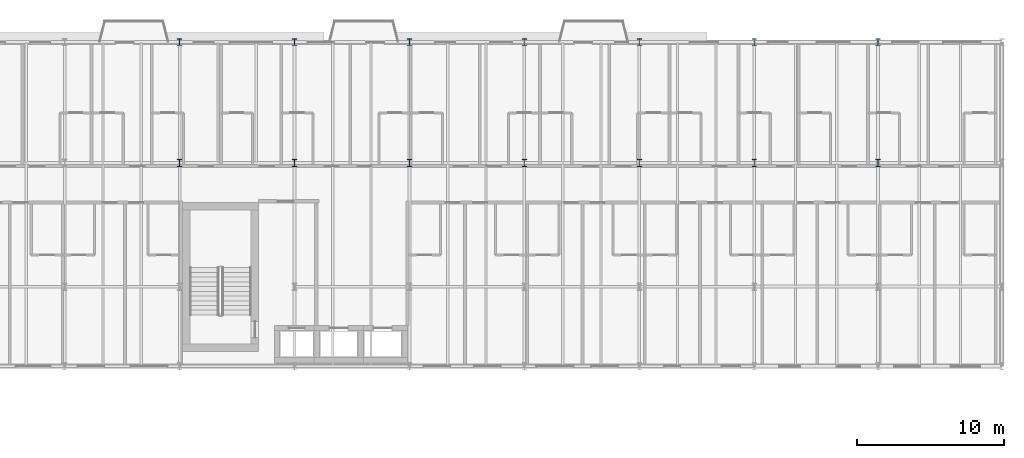
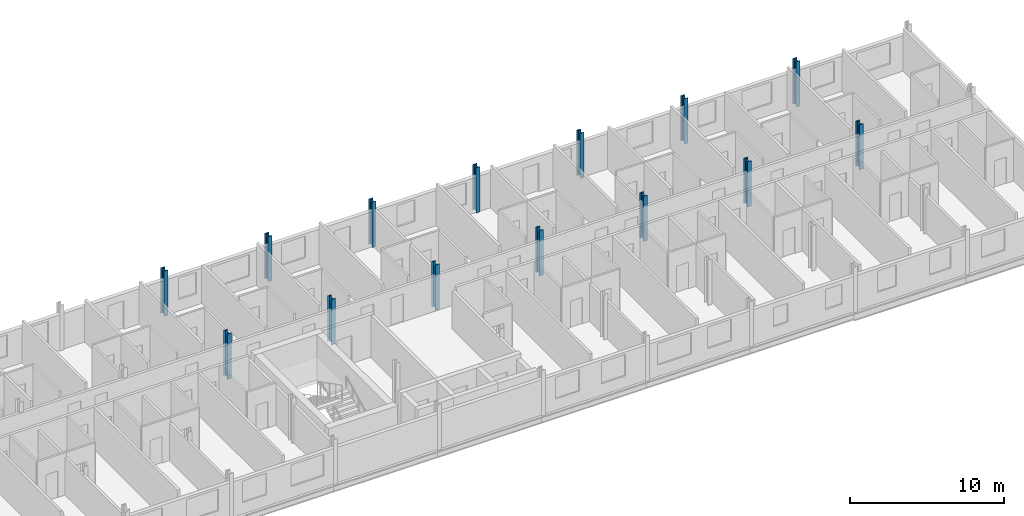
# One storey, part 6 of 36: 14 columns.
"""IFC4 building model written with IfcOpenShell, lengths in metres."""

from ifc_helpers import new_model, si_unit, direction, frame, origin, origin_2d, place, context, subcontext, project, spatial, i_section, extrude, material, material_profile, profile_set, type_object, element, save


model = new_model("IFC4")

# Units and contexts
model_context = context("Model", 3, precision=1e-05, world=origin(), true_north=direction((0.0, 1.0)))
body_context = subcontext(model_context, "Body", "Model", "MODEL_VIEW")
ifc_project = project(units=[si_unit("LENGTHUNIT", "METRE"), si_unit("AREAUNIT", "SQUARE_METRE"), si_unit("VOLUMEUNIT", "CUBIC_METRE"), si_unit("PLANEANGLEUNIT", "RADIAN"), si_unit("MASSUNIT", "GRAM", prefix="KILO")], contexts=[model_context])

# Site, building, storey
site_placement = place(None, origin())
site = spatial("IfcSite", under=ifc_project, at=site_placement, CompositionType="ELEMENT")
building_placement = place(site_placement, origin())
building = spatial("IfcBuilding", under=site, at=building_placement, Name="Sefraquen Railside Congress Hotel", CompositionType="ELEMENT")
storey_placement = place(building_placement, frame((0.0, 0.0, 28.199951171875)))
storey = spatial("IfcBuildingStorey", under=building, at=storey_placement, Name="L06", CompositionType="ELEMENT", Elevation=28.199951171875)

# Columns
ifc_material = material(Name="Steel S355JR", Category="steel")
ifc_material_profile_1 = material_profile(ifc_material, i_section(OverallWidth=0.300048828125, OverallDepth=0.449951171875, WebThickness=0.013916015625, FlangeThickness=0.02587890625, FilletRadius=0.027099609375, at=origin_2d()), Name="HEB 450")
ifc_profile_set_1 = profile_set([ifc_material_profile_1], Name="Steel S355JR")
column_type_1 = type_object("IfcColumnType", Name="TC-HEB-450", PredefinedType="COLUMN", material=ifc_profile_set_1)
for number, where, z_axis, x_axis, name in (
    (1, (64.199951171875, 118.0, 0.0), (0.0, 0.0, 1.0), (1.0, 0.0, 0.0), "Structural column 9-Q L06"),
    (2, (72.0, 118.0, 0.0), (0.0, 0.0, 1.0), (1.0, 0.0, 0.0), "Structural column 10-Q L06"),
    (3, (79.800048828125, 118.0, 0.0), (0.0, 0.0, 1.0), (1.0, 0.0, 0.0), "Structural column 11-Q L06"),
    (4, (87.60009765625, 118.0, 0.0), (0.0, 0.0, 1.0), (1.0, 0.0, 0.0), "Structural column 12-Q L06"),
    (5, (95.39990234375, 118.0, 0.0), (0.0, 0.0, 1.0), (1.0, 0.0, 0.0), "Structural column 13-Q L06"),
    (6, (103.199951171875, 118.0, 0.0), (0.0, 0.0, 1.0), (1.0, 0.0, 0.0), "Structural column 14-Q L06"),
    (7, (111.60009765625, 118.0, 0.0), (0.0, 0.0, 1.0), (1.0, 0.0, 0.0), "Structural column 15-Q L06"),
):
    element("IfcColumn", number, at=place(storey_placement, frame(where, z_axis=z_axis, x_axis=x_axis)), inside=storey, type_object=column_type_1, Name=name, PredefinedType="COLUMN", context=body_context, shape_type="SweptSolid", body=[
        extrude(i_section(OverallWidth=0.300048828125, OverallDepth=0.449951171875, WebThickness=0.013916015625, FlangeThickness=0.02587890625, FilletRadius=0.027099609375, at=origin_2d()), origin(), (0.0, 0.0, 1.0), 3.60009765625),
    ])
ifc_material_profile_2 = material_profile(ifc_material, i_section(OverallWidth=0.300048828125, OverallDepth=0.5, WebThickness=0.014404296875, FlangeThickness=0.028076171875, FilletRadius=0.027099609375, at=origin_2d()), Name="HEB 500")
ifc_profile_set_2 = profile_set([ifc_material_profile_2], Name="Steel S355JR")
column_type_2 = type_object("IfcColumnType", Name="TC-HEB-500", PredefinedType="COLUMN", material=ifc_profile_set_2)
for number, where, z_axis, x_axis, name in (
    (8, (64.199951171875, 109.800048828125, 0.0), (0.0, 0.0, 1.0), (1.0, 0.0, 0.0), "Structural column 9-P L06"),
    (9, (72.0, 109.800048828125, 0.0), (0.0, 0.0, 1.0), (1.0, 0.0, 0.0), "Structural column 10-P L06"),
    (10, (79.800048828125, 109.800048828125, 0.0), (0.0, 0.0, 1.0), (1.0, 0.0, 0.0), "Structural column 11-P L06"),
    (11, (87.60009765625, 109.800048828125, 0.0), (0.0, 0.0, 1.0), (1.0, 0.0, 0.0), "Structural column 12-P L06"),
    (12, (95.39990234375, 109.800048828125, 0.0), (0.0, 0.0, 1.0), (1.0, 0.0, 0.0), "Structural column 13-P L06"),
    (13, (103.199951171875, 109.800048828125, 0.0), (0.0, 0.0, 1.0), (1.0, 0.0, 0.0), "Structural column 14-P L06"),
    (14, (111.60009765625, 109.800048828125, 0.0), (0.0, 0.0, 1.0), (1.0, 0.0, 0.0), "Structural column 15-P L06"),
):
    element("IfcColumn", number, at=place(storey_placement, frame(where, z_axis=z_axis, x_axis=x_axis)), inside=storey, type_object=column_type_2, Name=name, PredefinedType="COLUMN", context=body_context, shape_type="SweptSolid", body=[
        extrude(i_section(OverallWidth=0.300048828125, OverallDepth=0.5, WebThickness=0.014404296875, FlangeThickness=0.028076171875, FilletRadius=0.027099609375, at=origin_2d()), origin(), (0.0, 0.0, 1.0), 3.60009765625),
    ])

save(model, "model.ifc")
